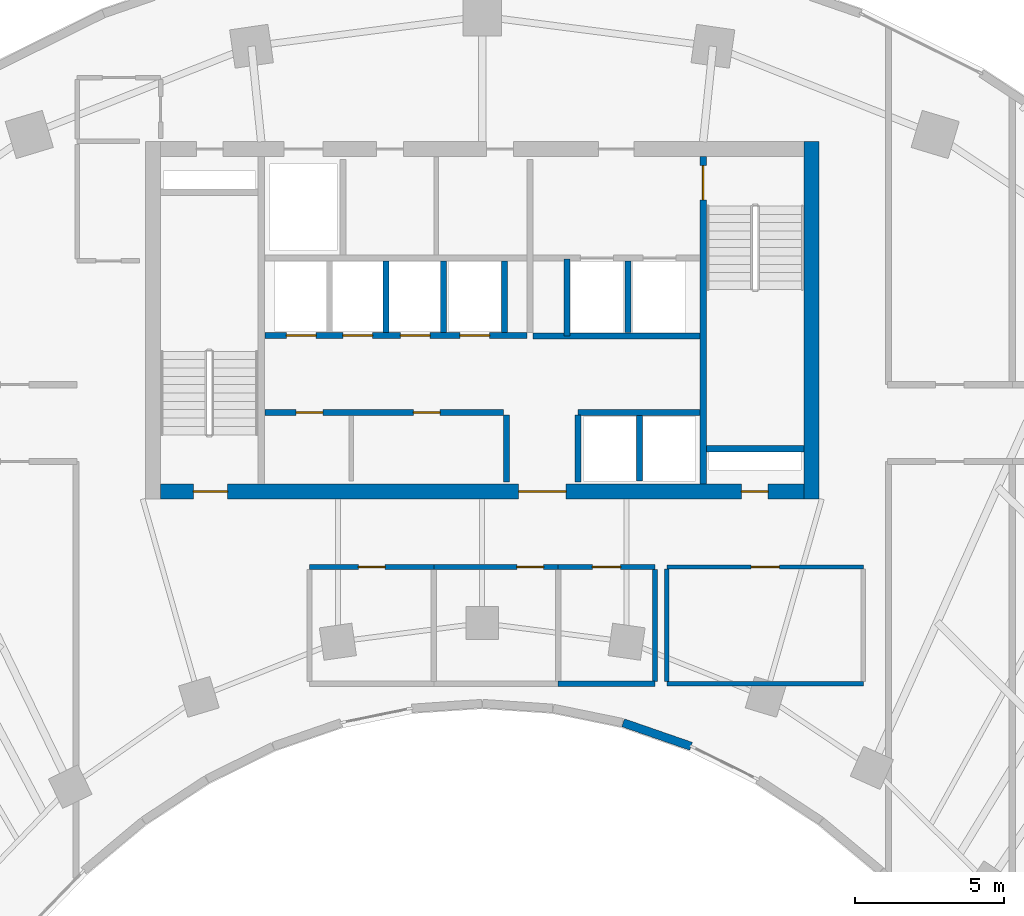
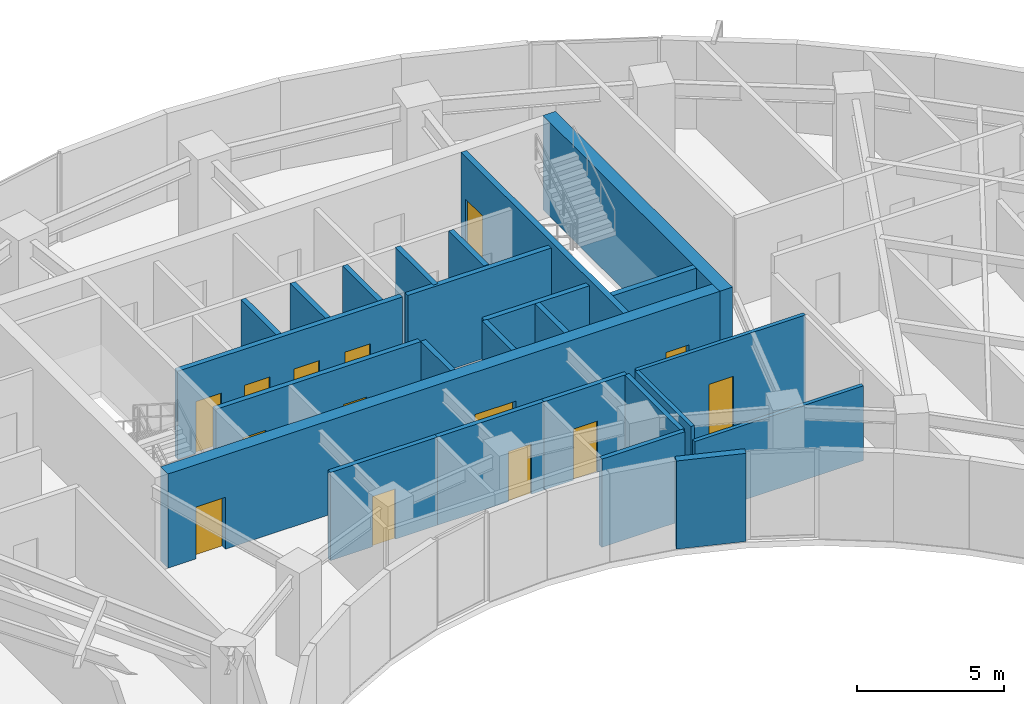
# One storey, part 9 of 14: 25 walls, 14 doors, 14 openings.
"""IFC4 building model written with IfcOpenShell, lengths in metres."""

from ifc_helpers import new_model, si_unit, direction, frame, frame_2d, origin, place, context, subcontext, project, spatial, rectangle, extrude, source, transform, mapped, material, layer, layer_set, type_object, type_shapes, element, fill, save


model = new_model("IFC4")

# Units and contexts
model_context = context("Model", 3, precision=1e-05, world=origin(), true_north=direction((0.0, 1.0)))
body_context = subcontext(model_context, "Body", "Model", "MODEL_VIEW")
ifc_project = project(units=[si_unit("LENGTHUNIT", "METRE"), si_unit("AREAUNIT", "SQUARE_METRE"), si_unit("VOLUMEUNIT", "CUBIC_METRE"), si_unit("PLANEANGLEUNIT", "RADIAN"), si_unit("MASSUNIT", "GRAM", prefix="KILO")], contexts=[model_context])

# Site, building, storey
site_placement = place(None, origin())
site = spatial("IfcSite", under=ifc_project, at=site_placement, CompositionType="ELEMENT")
building_placement = place(site_placement, origin())
building = spatial("IfcBuilding", under=site, at=building_placement, Name="Breltana Convention Tower", CompositionType="ELEMENT")
storey_placement = place(building_placement, frame((0.0, 0.0, 135.0)))
storey = spatial("IfcBuildingStorey", under=building, at=storey_placement, Name="L32", CompositionType="ELEMENT", Elevation=135.0)

# Wall
ifc_material_1 = material(Name="Concrete C60/75", Category="concrete")
ifc_layer_1 = layer(ifc_material_1, 0.5, Name="Concrete C60/75")
ifc_layer_set_1 = layer_set([ifc_layer_1], Name="Concrete C60/75")
wall_type_1 = type_object("IfcWallType", Name="SW-CORE-500", PredefinedType="SHEAR", material=ifc_layer_set_1)
shared_shape_1 = source(origin(), body_context, "Body", "SweptSolid", [
    extrude(rectangle(XDim=12.0, YDim=0.5, at=frame_2d((6.0, 0.0))), origin(), (0.0, 0.0, 1.0), 3.89990234375),
])
wall_1_placement = place(storey_placement, frame((59.050048828125, 60.199951171875, 0.0), z_axis=(0.0, 0.0, 1.0), x_axis=(0.0, 1.0, 0.0)))
element("IfcWall", 1, at=wall_1_placement, inside=storey, type_object=wall_type_1, Name="L32 East Core Shear Wall", PredefinedType="SHEAR", context=body_context, shape_type="MappedRepresentation", body=[
    mapped(shared_shape_1, transform((0.0, 0.0, 0.0), scale=1.0)),
])

# Wall, openings, doors
shared_shape_2 = source(origin(), body_context, "Body", "SweptSolid", [
    extrude(rectangle(XDim=21.60009765625, YDim=0.5, at=frame_2d((10.800048828125, 0.0))), origin(), (0.0, 0.0, 1.0), 3.89990234375),
])
wall_2_placement = place(storey_placement, frame((37.199951171875, 60.449951171875, 0.0), z_axis=(0.0, 0.0, 1.0), x_axis=(1.0, 0.0, 0.0)))
wall_2 = element("IfcWall", 2, at=wall_2_placement, inside=storey, type_object=wall_type_1, Name="L32 South Core Shear Wall", PredefinedType="SHEAR", context=body_context, shape_type="MappedRepresentation", body=[
    mapped(shared_shape_2, transform((0.0, 0.0, 0.0), scale=1.0)),
])
opening_1_placement = place(wall_2_placement, frame((1.10009765625, 0.0, 0.0)))
opening_1 = element("IfcOpeningElement", 3, at=opening_1_placement, cuts=wall_2, Name="Opening D-11", PredefinedType="OPENING", context=body_context, shape_type="SweptSolid", body=[
    extrude(rectangle(XDim=1.14990234375, YDim=2.14990234375, at=frame_2d((0.574951171875, 1.074951171875))), frame((0.0, 0.260009765625, 0.0), z_axis=(0.0, -1.0, 0.0), x_axis=(1.0, 0.0, 0.0)), (0.0, 0.0, 1.0), 0.52001953125),
])
opening_2_placement = place(wall_2_placement, frame((19.5, 0.0, 0.0)))
opening_2 = element("IfcOpeningElement", 4, at=opening_2_placement, cuts=wall_2, Name="Opening D-18", PredefinedType="OPENING", context=body_context, shape_type="SweptSolid", body=[
    extrude(rectangle(XDim=0.89990234375, YDim=2.10009765625, at=frame_2d((0.449951171875, 1.050048828125))), frame((0.0, 0.260009765625, 0.0), z_axis=(0.0, -1.0, 0.0), x_axis=(1.0, 0.0, 0.0)), (0.0, 0.0, 1.0), 0.52001953125),
])
opening_3_placement = place(wall_2_placement, frame((12.02001953125, 0.0, 0.0)))
opening_3 = element("IfcOpeningElement", 5, at=opening_3_placement, cuts=wall_2, Name="Opening D-02", PredefinedType="OPENING", context=body_context, shape_type="SweptSolid", body=[
    extrude(rectangle(XDim=1.60009765625, YDim=2.14990234375, at=frame_2d((0.800048828125, 1.074951171875))), frame((0.0, 0.260009765625, 0.0), z_axis=(0.0, -1.0, 0.0), x_axis=(1.0, 0.0, 0.0)), (0.0, 0.0, 1.0), 0.52001953125),
])
ifc_material_2 = material(Name="Steel Stair Exit Door", Category="steel")
door_type_1 = type_object("IfcDoorType", Name="DR-FD120-1150", OperationType="NOTDEFINED", PredefinedType="DOOR", material=ifc_material_2)
shared_shape_3 = source(origin(), body_context, "Body", "SweptSolid", [
    extrude(rectangle(XDim=1.14990234375, YDim=2.14990234375, at=frame_2d((0.574951171875, 1.074951171875))), frame((0.0, 0.02490234375, 0.0), z_axis=(0.0, -1.0, 0.0), x_axis=(1.0, 0.0, 0.0)), (0.0, 0.0, 1.0), 0.050048828125),
])
type_shapes(door_type_1, [shared_shape_3])
door_1_placement = place(opening_1_placement, origin())
door_1 = element("IfcDoor", 6, at=door_1_placement, inside=storey, type_object=door_type_1, Name="L32 interior door D-L32-ST1", OperationType="SINGLE_SWING_LEFT", OverallHeight=2.14990234375, OverallWidth=1.14990234375, PredefinedType="DOOR", context=body_context, shape_type="MappedRepresentation", body=[
    mapped(shared_shape_3, transform((0.0, 0.0, 0.0), scale=1.0)),
])
fill(opening_1, door_1)
ifc_material_3 = material(Name="Steel Riser Fire Door", Category="steel")
door_type_2 = type_object("IfcDoorType", Name="DR-FD60-900", OperationType="NOTDEFINED", PredefinedType="DOOR", material=ifc_material_3)
shared_shape_4 = source(origin(), body_context, "Body", "SweptSolid", [
    extrude(rectangle(XDim=0.89990234375, YDim=2.10009765625, at=frame_2d((0.449951171875, 1.050048828125))), frame((0.0, 0.02490234375, 0.0), z_axis=(0.0, -1.0, 0.0), x_axis=(1.0, 0.0, 0.0)), (0.0, 0.0, 1.0), 0.050048828125),
])
type_shapes(door_type_2, [shared_shape_4])
door_2_placement = place(opening_2_placement, origin())
door_2 = element("IfcDoor", 7, at=door_2_placement, inside=storey, type_object=door_type_2, Name="L32 Core Riser Access Door D-L32-RS2", OperationType="SINGLE_SWING_RIGHT", OverallHeight=2.10009765625, OverallWidth=0.89990234375, PredefinedType="DOOR", context=body_context, shape_type="MappedRepresentation", body=[
    mapped(shared_shape_4, transform((0.0, 0.0, 0.0), scale=1.0)),
])
fill(opening_2, door_2)
ifc_material_4 = material(Name="Steel Glazed Smoke-Control Door", Category="steel")
door_type_3 = type_object("IfcDoorType", Name="DR-DBL-FD90-1600", OperationType="DOUBLE_DOOR_SINGLE_SWING", PredefinedType="DOOR", material=ifc_material_4)
shared_shape_5 = source(origin(), body_context, "Body", "SweptSolid", [
    extrude(rectangle(XDim=1.60009765625, YDim=2.14990234375, at=frame_2d((0.800048828125, 1.074951171875))), frame((0.0, 0.02490234375, 0.0), z_axis=(0.0, -1.0, 0.0), x_axis=(1.0, 0.0, 0.0)), (0.0, 0.0, 1.0), 0.050048828125),
])
type_shapes(door_type_3, [shared_shape_5])
door_3_placement = place(opening_3_placement, origin())
door_3 = element("IfcDoor", 8, at=door_3_placement, inside=storey, type_object=door_type_3, Name="L32 interior door D-L32-LLB-S", OperationType="DOUBLE_DOOR_SINGLE_SWING", OverallHeight=2.14990234375, OverallWidth=1.60009765625, PredefinedType="DOOR", context=body_context, shape_type="MappedRepresentation", body=[
    mapped(shared_shape_5, transform((0.0, 0.0, 0.0), scale=1.0)),
])
fill(opening_3, door_3)

# Wall
ifc_material_5 = material(Name="Concrete C50/60", Category="concrete")
ifc_layer_2 = layer(ifc_material_5, 0.39990234375, Name="Concrete C50/60")
ifc_layer_set_2 = layer_set([ifc_layer_2], Name="Concrete C50/60")
wall_type_2 = type_object("IfcWallType", Name="SW-CORE-400", PredefinedType="SHEAR", material=ifc_layer_set_2)
shared_shape_6 = source(origin(), body_context, "Body", "SweptSolid", [
    extrude(rectangle(XDim=3.27001953125, YDim=0.219970703125, at=frame_2d((1.635009765625, 0.0))), origin(), (0.0, 0.0, 1.0), 3.89990234375),
])
wall_3_placement = place(storey_placement, frame((55.530029296875, 61.889892578125, 0.0), z_axis=(0.0, 0.0, 1.0), x_axis=(1.0, 0.0, 0.0)))
element("IfcWall", 9, at=wall_3_placement, inside=storey, type_object=wall_type_2, Name="L32 ST-2 Stairwell South Bearing Wall", PredefinedType="SHEAR", context=body_context, shape_type="MappedRepresentation", body=[
    mapped(shared_shape_6, transform((0.0, 0.0, 0.0), scale=1.0)),
])

# Wall, opening, door
shared_shape_7 = source(origin(), body_context, "Body", "SweptSolid", [
    extrude(rectangle(XDim=11.0, YDim=0.219970703125, at=frame_2d((5.5, 0.0))), origin(), (0.0, 0.0, 1.0), 3.89990234375),
])
wall_4_placement = place(storey_placement, frame((55.419921875, 60.699951171875, 0.0), z_axis=(0.0, 0.0, 1.0), x_axis=(0.0, 1.0, 0.0)))
wall_4 = element("IfcWall", 10, at=wall_4_placement, inside=storey, type_object=wall_type_2, Name="L32 Core East Stair Spine Wall", PredefinedType="SHEAR", context=body_context, shape_type="MappedRepresentation", body=[
    mapped(shared_shape_7, transform((0.0, 0.0, 0.0), scale=1.0)),
])
opening_4_placement = place(wall_4_placement, frame((9.544921875, 0.0, 0.0)))
opening_4 = element("IfcOpeningElement", 11, at=opening_4_placement, cuts=wall_4, Name="Opening D-11", PredefinedType="OPENING", context=body_context, shape_type="SweptSolid", body=[
    extrude(rectangle(XDim=1.14990234375, YDim=2.14990234375, at=frame_2d((0.574951171875, 1.074951171875))), frame((0.0, 0.1201171875, 0.0), z_axis=(0.0, -1.0, 0.0), x_axis=(1.0, 0.0, 0.0)), (0.0, 0.0, 1.0), 0.239990234375),
])
door_4_placement = place(opening_4_placement, origin())
door_4 = element("IfcDoor", 12, at=door_4_placement, inside=storey, type_object=door_type_1, Name="L32 interior door D-L32-ST2", OperationType="SINGLE_SWING_LEFT", OverallHeight=2.14990234375, OverallWidth=1.14990234375, PredefinedType="DOOR", context=body_context, shape_type="MappedRepresentation", body=[
    mapped(shared_shape_3, transform((0.0, 0.0, 0.0), scale=1.0)),
])
fill(opening_4, door_4)

# Walls
ifc_material_6 = material(Name="Limestone Buff Insulated Wall", Category="masonry")
ifc_layer_3 = layer(ifc_material_6, 0.280029296875, Name="Limestone Buff Insulated Wall")
ifc_layer_set_3 = layer_set([ifc_layer_3], Name="Limestone Buff Insulated Wall")
wall_type_3 = type_object("IfcWallType", Name="WL-EXT-NOSE-280", PredefinedType="SOLIDWALL", material=ifc_layer_set_3)
shared_shape_8 = source(origin(), body_context, "Body", "SweptSolid", [
    extrude(rectangle(XDim=2.41064453125, YDim=0.280029296875, at=frame_2d((1.205322265625, 0.0))), origin(), (0.0, 0.0, 1.0), 3.64990234375),
])
wall_5_placement = place(storey_placement, frame((55.01171875, 51.8994140625, 0.0), z_axis=(0.0, 0.0, 1.0), x_axis=(-0.944880068161, 0.327416640982, 0.0)))
element("IfcWall", 13, at=wall_5_placement, inside=storey, type_object=wall_type_3, Name="L32 curved limestone nose wall E10", PredefinedType="SOLIDWALL", context=body_context, shape_type="MappedRepresentation", body=[
    mapped(shared_shape_8, transform((0.0, 0.0, 0.0), scale=1.0)),
])
ifc_material_7 = material(Name="Autoclaved Aerated Concrete Block", Category="concrete")
ifc_layer_4 = layer(ifc_material_7, 0.199951171875, Name="Autoclaved Aerated Concrete Block")
ifc_layer_set_4 = layer_set([ifc_layer_4], Name="Autoclaved Aerated Concrete Block")
wall_type_4 = type_object("IfcWallType", Name="WL-SHAFT-200", PredefinedType="SOLIDWALL", material=ifc_layer_set_4)
shared_shape_9 = source(origin(), body_context, "Body", "SweptSolid", [
    extrude(rectangle(XDim=2.239990234375, YDim=0.199951171875, at=frame_2d((1.1201171875, 0.0))), origin(), (0.0, 0.0, 1.0), 3.64990234375),
])
for number, where, z_axis, x_axis, name in (
    (14, (48.820068359375, 60.780029296875, 0.0), (0.0, 0.0, 1.0), (0.0, 1.0, 0.0), "L32 interior partition W-L32-PORT-W"),
    (15, (51.219970703125, 60.780029296875, 0.0), (0.0, 0.0, 1.0), (0.0, 1.0, 0.0), "L32 interior partition W-L32-PORT-E"),
):
    element("IfcWall", number, at=place(storey_placement, frame(where, z_axis=z_axis, x_axis=x_axis)), inside=storey, type_object=wall_type_4, Name=name, PredefinedType="SOLIDWALL", context=body_context, shape_type="MappedRepresentation", body=[
        mapped(shared_shape_9, transform((0.0, 0.0, 0.0), scale=1.0)),
    ])
shared_shape_10 = source(origin(), body_context, "Body", "SweptSolid", [
    extrude(rectangle(XDim=5.6201171875, YDim=0.199951171875, at=frame_2d((2.81005859375, 0.0))), origin(), (0.0, 0.0, 1.0), 3.64990234375),
])
wall_6_placement = place(storey_placement, frame((49.699951171875, 65.679931640625, 0.0), z_axis=(0.0, 0.0, 1.0), x_axis=(1.0, 0.0, 0.0)))
element("IfcWall", 16, at=wall_6_placement, inside=storey, type_object=wall_type_4, Name="L32 interior partition W-L32-FL-S", PredefinedType="SOLIDWALL", context=body_context, shape_type="MappedRepresentation", body=[
    mapped(shared_shape_10, transform((0.0, 0.0, 0.0), scale=1.0)),
])
shared_shape_11 = source(origin(), body_context, "Body", "SweptSolid", [
    extrude(rectangle(XDim=2.580078125, YDim=0.199951171875, at=frame_2d((1.2900390625, 0.0))), origin(), (0.0, 0.0, 1.0), 3.64990234375),
])
wall_7_placement = place(storey_placement, frame((50.85009765625, 65.679931640625, 0.0), z_axis=(0.0, 0.0, 1.0), x_axis=(0.0, 1.0, 0.0)))
element("IfcWall", 17, at=wall_7_placement, inside=storey, type_object=wall_type_4, Name="L32 interior partition W-L32-FL-W", PredefinedType="SOLIDWALL", context=body_context, shape_type="MappedRepresentation", body=[
    mapped(shared_shape_11, transform((0.0, 0.0, 0.0), scale=1.0)),
])
shared_shape_12 = source(origin(), body_context, "Body", "SweptSolid", [
    extrude(rectangle(XDim=2.39990234375, YDim=0.199951171875, at=frame_2d((1.199951171875, 0.0))), origin(), (0.0, 0.0, 1.0), 3.64990234375),
])
for number, where, z_axis, x_axis, name in (
    (18, (52.89990234375, 65.800048828125, 0.0), (0.0, 0.0, 1.0), (0.0, 1.0, 0.0), "L32 interior partition W-L32-FL-DIV"),
    (19, (48.75, 65.800048828125, 0.0), (0.0, 0.0, 1.0), (0.0, 1.0, 0.0), "L32 interior partition W-L32-SH-M-END"),
    (20, (44.77001953125, 65.800048828125, 0.0), (0.0, 0.0, 1.0), (0.0, 1.0, 0.0), "L32 interior partition W-L32-SH-M-DIV2"),
    (21, (46.699951171875, 65.800048828125, 0.0), (0.0, 0.0, 1.0), (0.0, 1.0, 0.0), "L32 interior partition W-L32-SH-M-DIV3"),
):
    element("IfcWall", number, at=place(storey_placement, frame(where, z_axis=z_axis, x_axis=x_axis)), inside=storey, type_object=wall_type_4, Name=name, PredefinedType="SOLIDWALL", context=body_context, shape_type="MappedRepresentation", body=[
        mapped(shared_shape_12, transform((0.0, 0.0, 0.0), scale=1.0)),
    ])

# Wall, openings, doors
shared_shape_13 = source(origin(), body_context, "Body", "SweptSolid", [
    extrude(rectangle(XDim=8.800048828125, YDim=0.199951171875, at=frame_2d((4.39990234375, 0.0))), origin(), (0.0, 0.0, 1.0), 3.64990234375),
])
wall_8_placement = place(storey_placement, frame((40.699951171875, 65.699951171875, 0.0), z_axis=(0.0, 0.0, 1.0), x_axis=(1.0, 0.0, 0.0)))
wall_8 = element("IfcWall", 22, at=wall_8_placement, inside=storey, type_object=wall_type_4, Name="L32 interior partition W-L32-SH-M-FRONT", PredefinedType="SOLIDWALL", context=body_context, shape_type="MappedRepresentation", body=[
    mapped(shared_shape_13, transform((0.0, 0.0, 0.0), scale=1.0)),
])
opening_5_placement = place(wall_8_placement, frame((0.719970703125, 0.0, 0.0)))
opening_5 = element("IfcOpeningElement", 23, at=opening_5_placement, cuts=wall_8, Name="Opening LD-04", PredefinedType="OPENING", context=body_context, shape_type="SweptSolid", body=[
    extrude(rectangle(XDim=1.0, YDim=2.14990234375, at=frame_2d((0.5, 1.074951171875))), frame((0.0, 0.10986328125, 0.0), z_axis=(0.0, -1.0, 0.0), x_axis=(1.0, 0.0, 0.0)), (0.0, 0.0, 1.0), 0.219970703125),
])
opening_6_placement = place(wall_8_placement, frame((2.6201171875, 0.0, 0.0)))
opening_6 = element("IfcOpeningElement", 24, at=opening_6_placement, cuts=wall_8, Name="Opening LD-04", PredefinedType="OPENING", context=body_context, shape_type="SweptSolid", body=[
    extrude(rectangle(XDim=1.0, YDim=2.14990234375, at=frame_2d((0.5, 1.074951171875))), frame((0.0, 0.10986328125, 0.0), z_axis=(0.0, -1.0, 0.0), x_axis=(1.0, 0.0, 0.0)), (0.0, 0.0, 1.0), 0.219970703125),
])
opening_7_placement = place(wall_8_placement, frame((4.550048828125, 0.0, 0.0)))
opening_7 = element("IfcOpeningElement", 25, at=opening_7_placement, cuts=wall_8, Name="Opening LD-04", PredefinedType="OPENING", context=body_context, shape_type="SweptSolid", body=[
    extrude(rectangle(XDim=1.0, YDim=2.14990234375, at=frame_2d((0.5, 1.074951171875))), frame((0.0, 0.10986328125, 0.0), z_axis=(0.0, -1.0, 0.0), x_axis=(1.0, 0.0, 0.0)), (0.0, 0.0, 1.0), 0.219970703125),
])
opening_8_placement = place(wall_8_placement, frame((6.550048828125, 0.0, 0.0)))
opening_8 = element("IfcOpeningElement", 26, at=opening_8_placement, cuts=wall_8, Name="Opening LD-04", PredefinedType="OPENING", context=body_context, shape_type="SweptSolid", body=[
    extrude(rectangle(XDim=1.0, YDim=2.14990234375, at=frame_2d((0.5, 1.074951171875))), frame((0.0, 0.10986328125, 0.0), z_axis=(0.0, -1.0, 0.0), x_axis=(1.0, 0.0, 0.0)), (0.0, 0.0, 1.0), 0.219970703125),
])
ifc_material_8 = material(Name="Stainless Steel Brushed", Category="steel")
door_type_4 = type_object("IfcDoorType", Name="DR-LD-PAX-1000", OperationType="DOUBLE_DOOR_SLIDING", PredefinedType="DOOR", material=ifc_material_8)
shared_shape_14 = source(origin(), body_context, "Body", "SweptSolid", [
    extrude(rectangle(XDim=1.0, YDim=2.14990234375, at=frame_2d((0.5, 1.074951171875))), frame((0.0, 0.02490234375, 0.0), z_axis=(0.0, -1.0, 0.0), x_axis=(1.0, 0.0, 0.0)), (0.0, 0.0, 1.0), 0.050048828125),
])
type_shapes(door_type_4, [shared_shape_14])
door_5_placement = place(opening_5_placement, origin())
door_5 = element("IfcDoor", 27, at=door_5_placement, inside=storey, type_object=door_type_4, Name="L32 Lift Landing Door D-L32-LD-M1", OperationType="DOUBLE_DOOR_SLIDING", OverallHeight=2.14990234375, OverallWidth=1.0, PredefinedType="DOOR", context=body_context, shape_type="MappedRepresentation", body=[
    mapped(shared_shape_14, transform((0.0, 0.0, 0.0), scale=1.0)),
])
fill(opening_5, door_5)
door_6_placement = place(opening_6_placement, origin())
door_6 = element("IfcDoor", 28, at=door_6_placement, inside=storey, type_object=door_type_4, Name="L32 Lift Landing Door D-L32-LD-M2", OperationType="DOUBLE_DOOR_SLIDING", OverallHeight=2.14990234375, OverallWidth=1.0, PredefinedType="DOOR", context=body_context, shape_type="MappedRepresentation", body=[
    mapped(shared_shape_14, transform((0.0, 0.0, 0.0), scale=1.0)),
])
fill(opening_6, door_6)
door_7_placement = place(opening_7_placement, origin())
door_7 = element("IfcDoor", 29, at=door_7_placement, inside=storey, type_object=door_type_4, Name="L32 Lift Landing Door D-L32-LD-M3", OperationType="DOUBLE_DOOR_SLIDING", OverallHeight=2.14990234375, OverallWidth=1.0, PredefinedType="DOOR", context=body_context, shape_type="MappedRepresentation", body=[
    mapped(shared_shape_14, transform((0.0, 0.0, 0.0), scale=1.0)),
])
fill(opening_7, door_7)
door_8_placement = place(opening_8_placement, origin())
door_8 = element("IfcDoor", 30, at=door_8_placement, inside=storey, type_object=door_type_4, Name="L32 Lift Landing Door D-L32-LD-M4", OperationType="DOUBLE_DOOR_SLIDING", OverallHeight=2.14990234375, OverallWidth=1.0, PredefinedType="DOOR", context=body_context, shape_type="MappedRepresentation", body=[
    mapped(shared_shape_14, transform((0.0, 0.0, 0.0), scale=1.0)),
])
fill(opening_8, door_8)

shared_shape_15 = source(origin(), body_context, "Body", "SweptSolid", [
    extrude(rectangle(XDim=8.02001953125, YDim=0.199951171875, at=frame_2d((4.010009765625, 0.0))), origin(), (0.0, 0.0, 1.0), 3.64990234375),
])
wall_9_placement = place(storey_placement, frame((40.699951171875, 63.10009765625, 0.0), z_axis=(0.0, 0.0, 1.0), x_axis=(1.0, 0.0, 0.0)))
wall_9 = element("IfcWall", 31, at=wall_9_placement, inside=storey, type_object=wall_type_4, Name="L32 interior partition W-L32-SH-S-FRONT", PredefinedType="SOLIDWALL", context=body_context, shape_type="MappedRepresentation", body=[
    mapped(shared_shape_15, transform((0.0, 0.0, 0.0), scale=1.0)),
])
opening_9_placement = place(wall_9_placement, frame((1.050048828125, 0.0, 0.0)))
opening_9 = element("IfcOpeningElement", 32, at=opening_9_placement, cuts=wall_9, Name="Opening D-18", PredefinedType="OPENING", context=body_context, shape_type="SweptSolid", body=[
    extrude(rectangle(XDim=0.89990234375, YDim=2.10009765625, at=frame_2d((0.449951171875, 1.050048828125))), frame((0.0, 0.10986328125, 0.0), z_axis=(0.0, -1.0, 0.0), x_axis=(1.0, 0.0, 0.0)), (0.0, 0.0, 1.0), 0.219970703125),
])
opening_10_placement = place(wall_9_placement, frame((4.989990234375, 0.0, 0.0)))
opening_10 = element("IfcOpeningElement", 33, at=opening_10_placement, cuts=wall_9, Name="Opening D-18", PredefinedType="OPENING", context=body_context, shape_type="SweptSolid", body=[
    extrude(rectangle(XDim=0.89990234375, YDim=2.10009765625, at=frame_2d((0.449951171875, 1.050048828125))), frame((0.0, 0.10986328125, 0.0), z_axis=(0.0, -1.0, 0.0), x_axis=(1.0, 0.0, 0.0)), (0.0, 0.0, 1.0), 0.219970703125),
])
door_9_placement = place(opening_9_placement, origin())
door_9 = element("IfcDoor", 34, at=door_9_placement, inside=storey, type_object=door_type_2, Name="L32 interior door D-L32-LV7-B1A", OperationType="SINGLE_SWING_RIGHT", OverallHeight=2.10009765625, OverallWidth=0.89990234375, PredefinedType="DOOR", context=body_context, shape_type="MappedRepresentation", body=[
    mapped(shared_shape_4, transform((0.0, 0.0, 0.0), scale=1.0)),
])
fill(opening_9, door_9)
door_10_placement = place(opening_10_placement, origin())
door_10 = element("IfcDoor", 35, at=door_10_placement, inside=storey, type_object=door_type_2, Name="L32 interior door D-L32-LV7-B1B", OperationType="SINGLE_SWING_LEFT", OverallHeight=2.10009765625, OverallWidth=0.89990234375, PredefinedType="DOOR", context=body_context, shape_type="MappedRepresentation", body=[
    mapped(shared_shape_4, transform((0.0, 0.0, 0.0), scale=1.0)),
])
fill(opening_10, door_10)

# Walls
shared_shape_16 = source(origin(), body_context, "Body", "SweptSolid", [
    extrude(rectangle(XDim=4.10009765625, YDim=0.199951171875, at=frame_2d((2.050048828125, 0.0))), origin(), (0.0, 0.0, 1.0), 3.64990234375),
])
wall_10_placement = place(storey_placement, frame((51.219970703125, 63.10009765625, 0.0), z_axis=(0.0, 0.0, 1.0), x_axis=(1.0, 0.0, 0.0)))
element("IfcWall", 36, at=wall_10_placement, inside=storey, type_object=wall_type_4, Name="L32 interior partition W-L32-SH-X-FRONT", PredefinedType="SOLIDWALL", context=body_context, shape_type="MappedRepresentation", body=[
    mapped(shared_shape_16, transform((0.0, 0.0, 0.0), scale=1.0)),
])
shared_shape_17 = source(origin(), body_context, "Body", "SweptSolid", [
    extrude(rectangle(XDim=2.199951171875, YDim=0.199951171875, at=frame_2d((1.10009765625, 0.0))), origin(), (0.0, 0.0, 1.0), 3.64990234375),
])
wall_11_placement = place(storey_placement, frame((53.280029296875, 60.800048828125, 0.0), z_axis=(0.0, 0.0, 1.0), x_axis=(0.0, 1.0, 0.0)))
element("IfcWall", 37, at=wall_11_placement, inside=storey, type_object=wall_type_4, Name="L32 interior partition W-L32-SH-X-DIV", PredefinedType="SOLIDWALL", context=body_context, shape_type="MappedRepresentation", body=[
    mapped(shared_shape_17, transform((0.0, 0.0, 0.0), scale=1.0)),
])

# Wall, opening, door
ifc_material_9 = material(Name="Moisture-Resistant Gypsum Chase Wall")
ifc_layer_5 = layer(ifc_material_9, 0.179931640625, Name="Moisture-Resistant Gypsum Chase Wall")
ifc_layer_set_5 = layer_set([ifc_layer_5], Name="Moisture-Resistant Gypsum Chase Wall")
wall_type_5 = type_object("IfcWallType", Name="WL-PLUMB-180", PredefinedType="PLUMBINGWALL", material=ifc_layer_set_5)
shared_shape_18 = source(origin(), body_context, "Body", "SweptSolid", [
    extrude(rectangle(XDim=4.176025390625, YDim=0.179931640625, at=frame_2d((2.087890625, 0.0))), origin(), (0.0, 0.0, 1.0), 3.64990234375),
])
wall_12_placement = place(storey_placement, frame((42.199951171875, 57.919921875, 0.0), z_axis=(0.0, 0.0, 1.0), x_axis=(1.0, 0.0, 0.0)))
wall_12 = element("IfcWall", 38, at=wall_12_placement, inside=storey, type_object=wall_type_5, Name="L32 interior partition W-L32-WCM-N", PredefinedType="PLUMBINGWALL", context=body_context, shape_type="MappedRepresentation", body=[
    mapped(shared_shape_18, transform((0.0, 0.0, 0.0), scale=1.0)),
])
opening_11_placement = place(wall_12_placement, frame((1.637939453125, 0.0, 0.0)))
opening_11 = element("IfcOpeningElement", 39, at=opening_11_placement, cuts=wall_12, Name="Opening D-19", PredefinedType="OPENING", context=body_context, shape_type="SweptSolid", body=[
    extrude(rectangle(XDim=0.89990234375, YDim=2.080078125, at=frame_2d((0.449951171875, 1.0400390625))), frame((0.0, 0.10009765625, 0.0), z_axis=(0.0, -1.0, 0.0), x_axis=(1.0, 0.0, 0.0)), (0.0, 0.0, 1.0), 0.199951171875),
])
ifc_material_10 = material(Name="Timber Moisture-Resistant Door", Category="wood")
door_type_5 = type_object("IfcDoorType", Name="DR-WC-900", OperationType="NOTDEFINED", PredefinedType="DOOR", material=ifc_material_10)
shared_shape_19 = source(origin(), body_context, "Body", "SweptSolid", [
    extrude(rectangle(XDim=0.89990234375, YDim=2.080078125, at=frame_2d((0.449951171875, 1.0400390625))), frame((0.0, 0.02490234375, 0.0), z_axis=(0.0, -1.0, 0.0), x_axis=(1.0, 0.0, 0.0)), (0.0, 0.0, 1.0), 0.050048828125),
])
type_shapes(door_type_5, [shared_shape_19])
door_11_placement = place(opening_11_placement, origin())
door_11 = element("IfcDoor", 40, at=door_11_placement, inside=storey, type_object=door_type_5, Name="L32 interior door D-L32-WCM", OperationType="SINGLE_SWING_RIGHT", OverallHeight=2.080078125, OverallWidth=0.89990234375, PredefinedType="DOOR", context=body_context, shape_type="MappedRepresentation", body=[
    mapped(shared_shape_19, transform((0.0, 0.0, 0.0), scale=1.0)),
])
fill(opening_11, door_11)

wall_13_placement = place(storey_placement, frame((46.3759765625, 57.919921875, 0.0), z_axis=(0.0, 0.0, 1.0), x_axis=(1.0, 0.0, 0.0)))
wall_13 = element("IfcWall", 41, at=wall_13_placement, inside=storey, type_object=wall_type_5, Name="L32 interior partition W-L32-WCF-N", PredefinedType="PLUMBINGWALL", context=body_context, shape_type="MappedRepresentation", body=[
    mapped(shared_shape_18, transform((0.0, 0.0, 0.0), scale=1.0)),
])
opening_12_placement = place(wall_13_placement, frame((2.7880859375, 0.0, 0.0)))
opening_12 = element("IfcOpeningElement", 42, at=opening_12_placement, cuts=wall_13, Name="Opening D-19", PredefinedType="OPENING", context=body_context, shape_type="SweptSolid", body=[
    extrude(rectangle(XDim=0.89990234375, YDim=2.080078125, at=frame_2d((0.449951171875, 1.0400390625))), frame((0.0, 0.10009765625, 0.0), z_axis=(0.0, -1.0, 0.0), x_axis=(1.0, 0.0, 0.0)), (0.0, 0.0, 1.0), 0.199951171875),
])
door_12_placement = place(opening_12_placement, origin())
door_12 = element("IfcDoor", 43, at=door_12_placement, inside=storey, type_object=door_type_5, Name="L32 interior door D-L32-WCF", OperationType="SINGLE_SWING_LEFT", OverallHeight=2.080078125, OverallWidth=0.89990234375, PredefinedType="DOOR", context=body_context, shape_type="MappedRepresentation", body=[
    mapped(shared_shape_19, transform((0.0, 0.0, 0.0), scale=1.0)),
])
fill(opening_12, door_12)

# Walls
ifc_material_11 = material(Name="Cement Board Wet-Area Partition")
ifc_layer_6 = layer(ifc_material_11, 0.175048828125, Name="Cement Board Wet-Area Partition")
ifc_layer_set_6 = layer_set([ifc_layer_6], Name="Cement Board Wet-Area Partition")
wall_type_6 = type_object("IfcWallType", Name="WL-WET-175", PredefinedType="PARTITIONING", material=ifc_layer_set_6)
shared_shape_20 = source(origin(), body_context, "Body", "SweptSolid", [
    extrude(rectangle(XDim=3.7626953125, YDim=0.175048828125, at=frame_2d((1.88134765625, 0.0))), origin(), (0.0, 0.0, 1.0), 3.64990234375),
])
wall_14_placement = place(storey_placement, frame((53.800048828125, 54.07861328125, 0.0), z_axis=(0.0, 0.0, 1.0), x_axis=(0.0, 1.0, 0.0)))
element("IfcWall", 44, at=wall_14_placement, inside=storey, type_object=wall_type_6, Name="L32 interior partition W-L32-WCA-E", PredefinedType="PARTITIONING", context=body_context, shape_type="MappedRepresentation", body=[
    mapped(shared_shape_20, transform((0.0, 0.0, 0.0), scale=1.0)),
])
shared_shape_21 = source(origin(), body_context, "Body", "SweptSolid", [
    extrude(rectangle(XDim=3.248046875, YDim=0.175048828125, at=frame_2d((1.6240234375, 0.0))), origin(), (0.0, 0.0, 1.0), 3.64990234375),
])
wall_15_placement = place(storey_placement, frame((50.552001953125, 54.0, 0.0), z_axis=(0.0, 0.0, 1.0), x_axis=(1.0, 0.0, 0.0)))
element("IfcWall", 45, at=wall_15_placement, inside=storey, type_object=wall_type_6, Name="L32 interior partition W-L32-WCA-S", PredefinedType="PARTITIONING", context=body_context, shape_type="MappedRepresentation", body=[
    mapped(shared_shape_21, transform((0.0, 0.0, 0.0), scale=1.0)),
])

# Wall, opening, door
shared_shape_22 = source(origin(), body_context, "Body", "SweptSolid", [
    extrude(rectangle(XDim=3.248046875, YDim=0.179931640625, at=frame_2d((1.6240234375, 0.0))), origin(), (0.0, 0.0, 1.0), 3.64990234375),
])
wall_16_placement = place(storey_placement, frame((50.552001953125, 57.919921875, 0.0), z_axis=(0.0, 0.0, 1.0), x_axis=(1.0, 0.0, 0.0)))
wall_16 = element("IfcWall", 46, at=wall_16_placement, inside=storey, type_object=wall_type_5, Name="L32 interior partition W-L32-WCA-N", PredefinedType="PLUMBINGWALL", context=body_context, shape_type="MappedRepresentation", body=[
    mapped(shared_shape_22, transform((0.0, 0.0, 0.0), scale=1.0)),
])
opening_13_placement = place(wall_16_placement, frame((1.14892578125, 0.0, 0.0)))
opening_13 = element("IfcOpeningElement", 47, at=opening_13_placement, cuts=wall_16, Name="Opening D-16", PredefinedType="OPENING", context=body_context, shape_type="SweptSolid", body=[
    extrude(rectangle(XDim=0.949951171875, YDim=2.1201171875, at=frame_2d((0.47509765625, 1.06005859375))), frame((0.0, 0.10009765625, 0.0), z_axis=(0.0, -1.0, 0.0), x_axis=(1.0, 0.0, 0.0)), (0.0, 0.0, 1.0), 0.199951171875),
])
ifc_material_12 = material(Name="Timber Laminate Accessible Door", Category="wood")
door_type_6 = type_object("IfcDoorType", Name="DR-ACC-950", OperationType="NOTDEFINED", PredefinedType="DOOR", material=ifc_material_12)
shared_shape_23 = source(origin(), body_context, "Body", "SweptSolid", [
    extrude(rectangle(XDim=0.949951171875, YDim=2.1201171875, at=frame_2d((0.47509765625, 1.06005859375))), frame((0.0, 0.02490234375, 0.0), z_axis=(0.0, -1.0, 0.0), x_axis=(1.0, 0.0, 0.0)), (0.0, 0.0, 1.0), 0.050048828125),
])
type_shapes(door_type_6, [shared_shape_23])
door_13_placement = place(opening_13_placement, origin())
door_13 = element("IfcDoor", 48, at=door_13_placement, inside=storey, type_object=door_type_6, Name="L32 interior door D-L32-WCA", OperationType="SINGLE_SWING_RIGHT", OverallHeight=2.1201171875, OverallWidth=0.949951171875, PredefinedType="DOOR", context=body_context, shape_type="MappedRepresentation", body=[
    mapped(shared_shape_23, transform((0.0, 0.0, 0.0), scale=1.0)),
])
fill(opening_13, door_13)

# Wall
ifc_material_13 = material(Name="Gypsum Acoustic Drywall Partition")
ifc_layer_7 = layer(ifc_material_13, 0.14990234375, Name="Gypsum Acoustic Drywall Partition")
ifc_layer_set_7 = layer_set([ifc_layer_7], Name="Gypsum Acoustic Drywall Partition")
wall_type_7 = type_object("IfcWallType", Name="WL-PART-150", PredefinedType="PARTITIONING", material=ifc_layer_set_7)
shared_shape_24 = source(origin(), body_context, "Body", "SweptSolid", [
    extrude(rectangle(XDim=6.60009765625, YDim=0.14990234375, at=frame_2d((3.300048828125, 0.0))), origin(), (0.0, 0.0, 1.0), 3.094970703125),
])
wall_17_placement = place(storey_placement, frame((54.199951171875, 54.0, 0.0), z_axis=(0.0, 0.0, 1.0), x_axis=(1.0, 0.0, 0.0)))
element("IfcWall", 49, at=wall_17_placement, inside=storey, type_object=wall_type_7, Name="L32 interior partition W-L32-PNT-S", PredefinedType="PARTITIONING", context=body_context, shape_type="MappedRepresentation", body=[
    mapped(shared_shape_24, transform((0.0, 0.0, 0.0), scale=1.0)),
])

# Wall, opening, door
shared_shape_25 = source(origin(), body_context, "Body", "SweptSolid", [
    extrude(rectangle(XDim=6.60009765625, YDim=0.14990234375, at=frame_2d((3.300048828125, 0.0))), origin(), (0.0, 0.0, 1.0), 3.64990234375),
])
wall_18_placement = place(storey_placement, frame((54.199951171875, 57.919921875, 0.0), z_axis=(0.0, 0.0, 1.0), x_axis=(1.0, 0.0, 0.0)))
wall_18 = element("IfcWall", 50, at=wall_18_placement, inside=storey, type_object=wall_type_7, Name="L32 interior partition W-L32-PNT-N", PredefinedType="PARTITIONING", context=body_context, shape_type="MappedRepresentation", body=[
    mapped(shared_shape_25, transform((0.0, 0.0, 0.0), scale=1.0)),
])
opening_14_placement = place(wall_18_placement, frame((2.824951171875, 0.0, 0.0)))
opening_14 = element("IfcOpeningElement", 51, at=opening_14_placement, cuts=wall_18, Name="Opening D-17", PredefinedType="OPENING", context=body_context, shape_type="SweptSolid", body=[
    extrude(rectangle(XDim=0.949951171875, YDim=2.10009765625, at=frame_2d((0.47509765625, 1.050048828125))), frame((0.0, 0.0849609375, 0.0), z_axis=(0.0, -1.0, 0.0), x_axis=(1.0, 0.0, 0.0)), (0.0, 0.0, 1.0), 0.169921875),
])
ifc_material_14 = material(Name="Timber Oak Veneer Door", Category="wood")
door_type_7 = type_object("IfcDoorType", Name="DR-INT-950", OperationType="NOTDEFINED", PredefinedType="DOOR", material=ifc_material_14)
shared_shape_26 = source(origin(), body_context, "Body", "SweptSolid", [
    extrude(rectangle(XDim=0.949951171875, YDim=2.10009765625, at=frame_2d((0.47509765625, 1.050048828125))), frame((0.0, 0.02490234375, 0.0), z_axis=(0.0, -1.0, 0.0), x_axis=(1.0, 0.0, 0.0)), (0.0, 0.0, 1.0), 0.050048828125),
])
type_shapes(door_type_7, [shared_shape_26])
door_14_placement = place(opening_14_placement, origin())
door_14 = element("IfcDoor", 52, at=door_14_placement, inside=storey, type_object=door_type_7, Name="L32 interior door D-L32-PNT", OperationType="SINGLE_SWING_LEFT", OverallHeight=2.10009765625, OverallWidth=0.949951171875, PredefinedType="DOOR", context=body_context, shape_type="MappedRepresentation", body=[
    mapped(shared_shape_26, transform((0.0, 0.0, 0.0), scale=1.0)),
])
fill(opening_14, door_14)

# Wall
shared_shape_27 = source(origin(), body_context, "Body", "SweptSolid", [
    extrude(rectangle(XDim=3.78515625, YDim=0.14990234375, at=frame_2d((1.892578125, 0.0))), origin(), (0.0, 0.0, 1.0), 3.64990234375),
])
wall_19_placement = place(storey_placement, frame((54.199951171875, 54.0673828125, 0.0), z_axis=(0.0, 0.0, 1.0), x_axis=(0.0, 1.0, 0.0)))
element("IfcWall", 53, at=wall_19_placement, inside=storey, type_object=wall_type_7, Name="L32 interior partition W-L32-PNT-W", PredefinedType="PARTITIONING", context=body_context, shape_type="MappedRepresentation", body=[
    mapped(shared_shape_27, transform((0.0, 0.0, 0.0), scale=1.0)),
])

save(model, "model.ifc")
